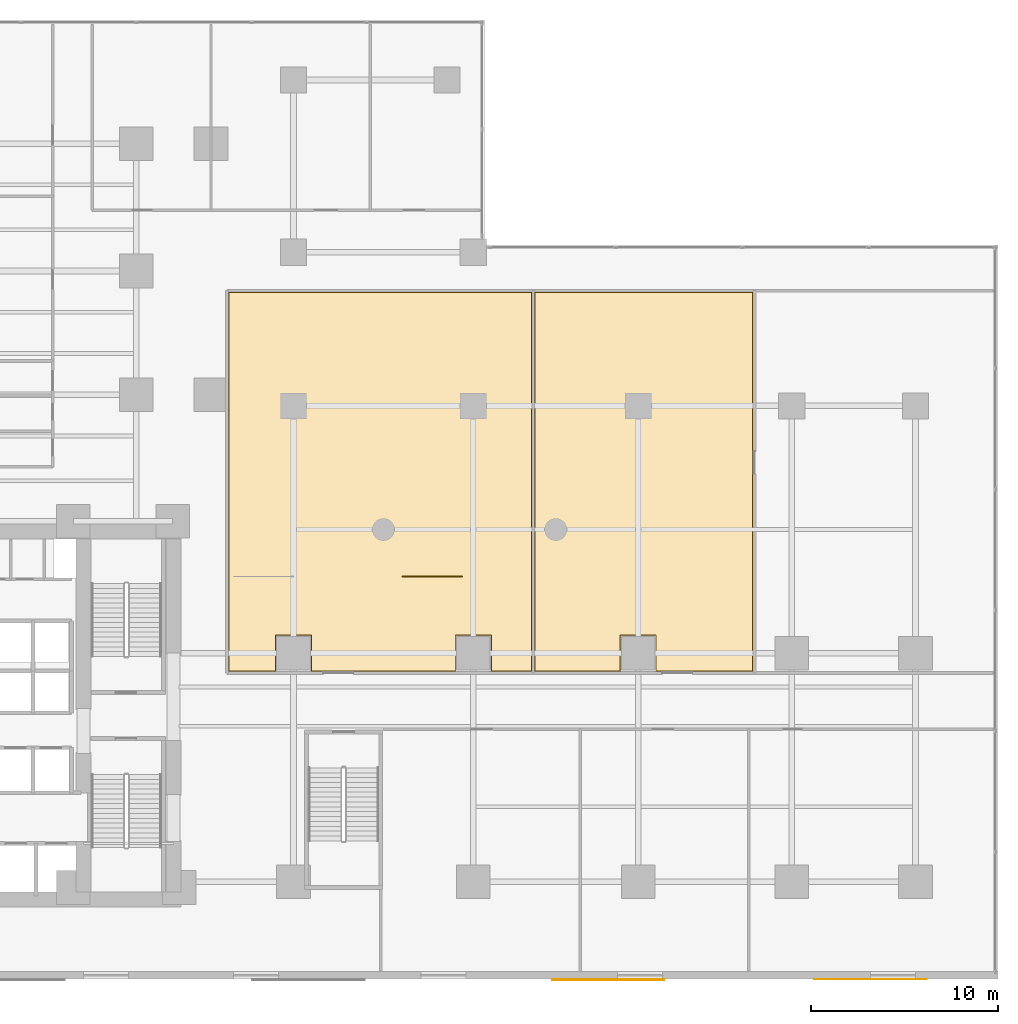
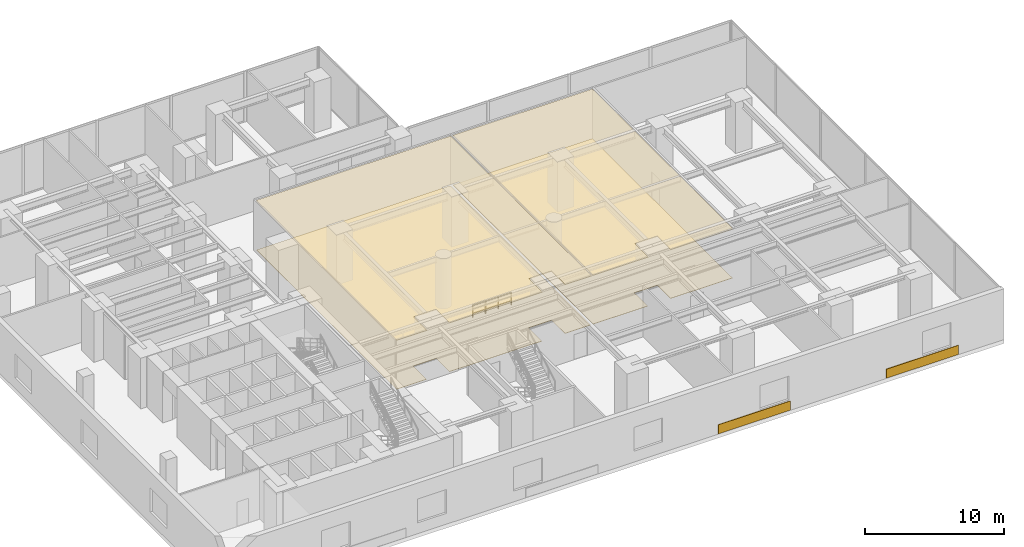
# One storey, part 16 of 16: 6 coverings, 1 railing.
"""IFC4 building model written with IfcOpenShell, lengths in metres."""

from ifc_helpers import new_model, si_unit, direction, frame, origin, origin_2d, place, context, subcontext, project, spatial, polyline, rectangle, circle, outline, extrude, material, layer, layer_set, type_object, element, save


model = new_model("IFC4")

# Units and contexts
model_context = context("Model", 3, precision=1e-05, world=origin(), true_north=direction((0.0, 1.0)))
body_context = subcontext(model_context, "Body", "Model", "MODEL_VIEW")
ifc_project = project(units=[si_unit("LENGTHUNIT", "METRE"), si_unit("AREAUNIT", "SQUARE_METRE"), si_unit("VOLUMEUNIT", "CUBIC_METRE"), si_unit("PLANEANGLEUNIT", "RADIAN"), si_unit("MASSUNIT", "GRAM", prefix="KILO")], contexts=[model_context])

# Site, building, storey
site_placement = place(None, origin())
site = spatial("IfcSite", under=ifc_project, at=site_placement, CompositionType="ELEMENT")
building_placement = place(site_placement, origin())
building = spatial("IfcBuilding", under=site, at=building_placement, Name="Kolvaren Waterfront Exchange", CompositionType="ELEMENT")
storey_placement = place(building_placement, frame((0.0, 0.0, 15.199951171875)))
storey = spatial("IfcBuildingStorey", under=building, at=storey_placement, Name="L04", CompositionType="ELEMENT", Elevation=15.199951171875)

# Railing
ifc_material_1 = material(Name="Anodised bronze aluminium and laminated glass", Category="aluminium")
railing_type = type_object("IfcRailingType", Name="ARC-BALUSTRADE-1150", PredefinedType="BALUSTRADE", material=ifc_material_1)
railing_placement = place(storey_placement, frame((33.0, 21.5, 0.0)))
element("IfcRailing", 1, at=railing_placement, inside=storey, type_object=railing_type, Name="L04 gallery balustrade 2", PredefinedType="BALUSTRADE", context=body_context, shape_type="SweptSolid", body=[
    extrude(circle(Radius=0.02392578125, at=origin_2d()), frame((0.0, 0.0, 1.1259765625), z_axis=(1.0, 0.0, 0.0), x_axis=(0.0, 1.0, 0.0)), (0.0, 0.0, 1.0), 3.199951171875),
    extrude(circle(Radius=0.01611328125, at=origin_2d()), frame((0.0, 0.0, 0.390869140625), z_axis=(1.0, 0.0, 0.0), x_axis=(0.0, 1.0, 0.0)), (0.0, 0.0, 1.0), 3.199951171875),
    extrude(circle(Radius=0.01611328125, at=origin_2d()), frame((0.0, 0.0, 0.7705078125), z_axis=(1.0, 0.0, 0.0), x_axis=(0.0, 1.0, 0.0)), (0.0, 0.0, 1.0), 3.199951171875),
    extrude(circle(Radius=0.02099609375, at=origin_2d()), origin(), (0.0, 0.0, 1.0), 1.101806640625),
    extrude(circle(Radius=0.02099609375, at=origin_2d()), frame((1.066650390625, 0.0, 0.0)), (0.0, 0.0, 1.0), 1.101806640625),
    extrude(circle(Radius=0.02099609375, at=origin_2d()), frame((2.13330078125, 0.0, 0.0)), (0.0, 0.0, 1.0), 1.101806640625),
    extrude(circle(Radius=0.02099609375, at=origin_2d()), frame((3.199951171875, 0.0, 0.0)), (0.0, 0.0, 1.0), 1.101806640625),
])

# Coverings
ifc_material_2 = material(Name="Perforated bronze acoustic ceiling panel", Category="aluminium")
ifc_layer_1 = layer(ifc_material_2, 0.054931640625, Name="Perforated bronze acoustic ceiling panel")
ifc_layer_set_1 = layer_set([ifc_layer_1], Name="Perforated bronze acoustic ceiling panel")
covering_type_1 = type_object("IfcCoveringType", Name="ARC-CEIL-BAFFLE-55", PredefinedType="CEILING", material=ifc_layer_set_1)
covering_1_placement = place(storey_placement, frame((0.0, 0.0, 4.31494140625)))
element("IfcCovering", 2, at=covering_1_placement, inside=storey, type_object=covering_type_1, Name="L04 acoustic suspended ceiling 2", PredefinedType="CEILING", context=body_context, shape_type="SweptSolid", body=[
    extrude(outline(polyline([(23.715087890625, 32.139892578125), (23.739990234375, 32.139892578125), (23.739990234375, 30.260009765625), (23.715087890625, 30.260009765625), (23.715087890625, 16.4150390625), (26.27490234375, 16.4150390625), (26.27490234375, 16.4599609375), (26.260009765625, 16.4599609375), (26.260009765625, 18.340087890625), (28.139892578125, 18.340087890625), (28.139892578125, 16.4599609375), (28.125, 16.4599609375), (28.125, 16.4150390625), (35.875, 16.4150390625), (35.875, 16.4599609375), (35.860107421875, 16.4599609375), (35.860107421875, 18.340087890625), (37.739990234375, 18.340087890625), (37.739990234375, 16.4599609375), (37.72509765625, 16.4599609375), (37.72509765625, 16.4150390625), (39.93505859375, 16.4150390625), (39.93505859375, 36.68505859375), (23.715087890625, 36.68505859375), (23.715087890625, 32.139892578125)])), origin(), (0.0, 0.0, 1.0), 0.05517578125),
])
covering_2_placement = place(storey_placement, frame((0.0, 0.0, 4.31494140625)))
element("IfcCovering", 3, at=covering_2_placement, inside=storey, type_object=covering_type_1, Name="L04 acoustic suspended ceiling 3", PredefinedType="CEILING", context=body_context, shape_type="SweptSolid", body=[
    extrude(outline(polyline([(51.735107421875, 16.4150390625), (51.735107421875, 36.68505859375), (40.06494140625, 36.68505859375), (40.06494140625, 16.4150390625), (44.675048828125, 16.4150390625), (44.675048828125, 16.4599609375), (44.659912109375, 16.4599609375), (44.659912109375, 18.340087890625), (46.5400390625, 18.340087890625), (46.5400390625, 16.4599609375), (46.52490234375, 16.4599609375), (46.52490234375, 16.4150390625), (51.735107421875, 16.4150390625)])), origin(), (0.0, 0.0, 1.0), 0.05517578125),
])
ifc_material_3 = material(Name="Honed grey-taupe granite stone", Category="masonry")
ifc_layer_2 = layer(ifc_material_3, 0.044921875, Name="Honed grey-taupe granite stone")
ifc_layer_set_2 = layer_set([ifc_layer_2], Name="Honed grey-taupe granite stone")
covering_type_2 = type_object("IfcCoveringType", Name="ARC-CLAD-GRANITE-45", PredefinedType="CLADDING", material=ifc_layer_set_2)
for number, where, z_axis, x_axis, name in (
    (4, (44.0, -0.02001953125, 0.0498046875), (0.0, 0.0, 1.0), (1.0, 0.0, 0.0), "L04 honed grey-taupe granite spandrel cladding S3"),
    (5, (58.0, -0.02001953125, 0.0498046875), (0.0, 0.0, 1.0), (1.0, 0.0, 0.0), "L04 honed grey-taupe granite spandrel cladding S4"),
):
    element("IfcCovering", number, at=place(storey_placement, frame(where, z_axis=z_axis, x_axis=x_axis)), inside=storey, type_object=covering_type_2, Name=name, PredefinedType="CLADDING", context=body_context, shape_type="SweptSolid", body=[
        extrude(rectangle(XDim=6.0, YDim=0.044921875, at=origin_2d()), origin(), (0.0, 0.0, 1.0), 0.800048828125),
    ])
ifc_material_4 = material(Name="Polished granite terrazzo tile", Category="masonry")
ifc_layer_3 = layer(ifc_material_4, 0.030029296875, Name="Polished granite terrazzo tile")
ifc_layer_set_3 = layer_set([ifc_layer_3], Name="Polished granite terrazzo tile")
covering_type_3 = type_object("IfcCoveringType", Name="ARC-FLR-TERRAZZO-30", PredefinedType="FLOORING", material=ifc_layer_set_3)
covering_3_placement = place(storey_placement, origin())
element("IfcCovering", 6, at=covering_3_placement, inside=storey, type_object=covering_type_3, Name="L04 floor finish 2", PredefinedType="FLOORING", context=body_context, shape_type="SweptSolid", body=[
    extrude(outline(polyline([(23.75, 30.239990234375), (23.75, 16.449951171875), (26.239990234375, 16.449951171875), (26.239990234375, 18.360107421875), (28.159912109375, 18.360107421875), (28.159912109375, 16.449951171875), (35.840087890625, 16.449951171875), (35.840087890625, 18.360107421875), (37.760009765625, 18.360107421875), (37.760009765625, 16.449951171875), (39.89990234375, 16.449951171875), (39.89990234375, 36.64990234375), (23.75, 36.64990234375), (23.75, 32.159912109375), (23.760009765625, 32.159912109375), (23.760009765625, 30.239990234375), (23.75, 30.239990234375)])), origin(), (0.0, 0.0, 1.0), 0.030029296875),
])
covering_4_placement = place(storey_placement, origin())
element("IfcCovering", 7, at=covering_4_placement, inside=storey, type_object=covering_type_3, Name="L04 floor finish 3", PredefinedType="FLOORING", context=body_context, shape_type="SweptSolid", body=[
    extrude(outline(polyline([(40.10009765625, 36.64990234375), (40.10009765625, 16.449951171875), (44.639892578125, 16.449951171875), (44.639892578125, 18.360107421875), (46.56005859375, 18.360107421875), (46.56005859375, 16.449951171875), (51.699951171875, 16.449951171875), (51.699951171875, 36.64990234375), (40.10009765625, 36.64990234375)])), origin(), (0.0, 0.0, 1.0), 0.030029296875),
])

save(model, "model.ifc")
